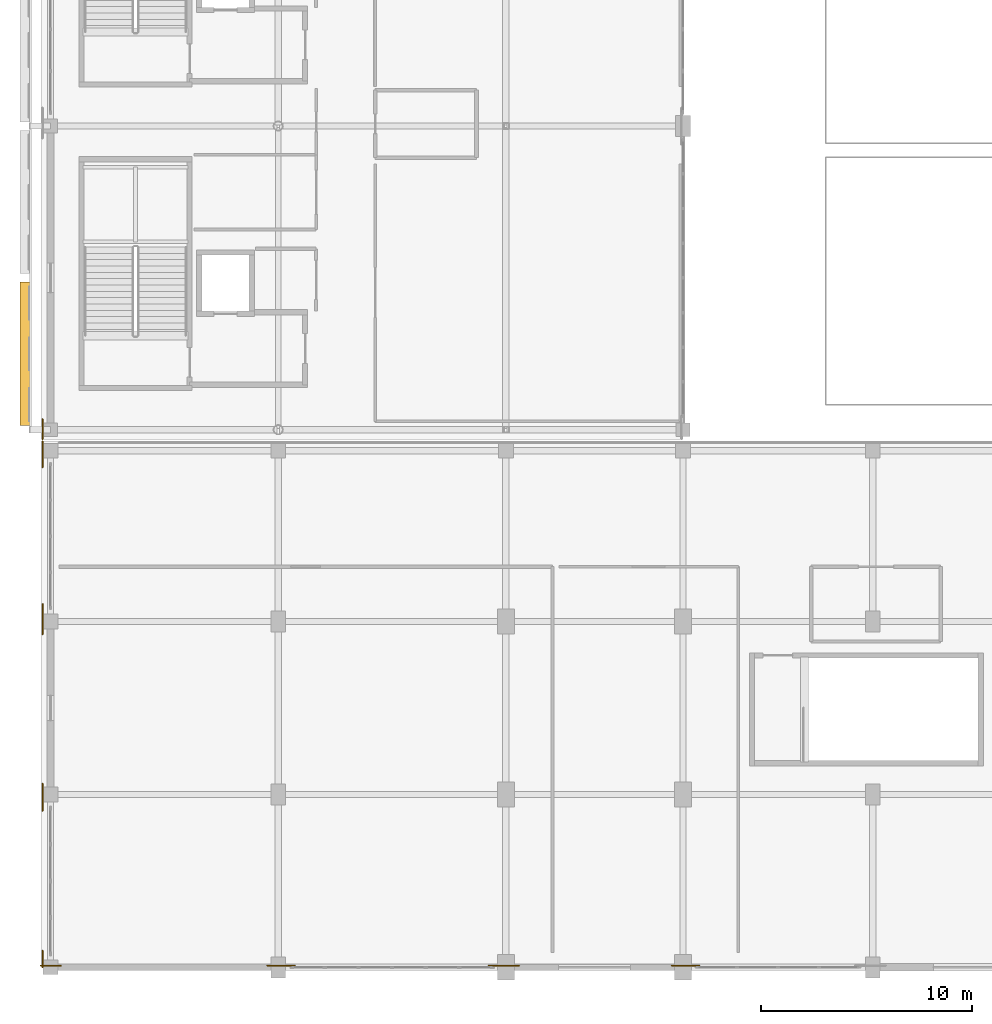
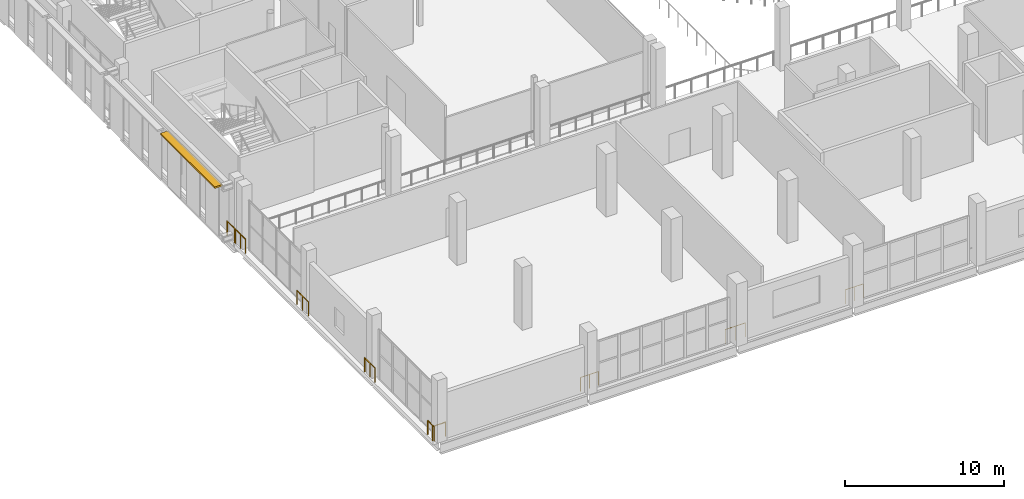
# One storey, part 77 of 104: 9 railings, 1 shading device.
"""IFC4 building model written with IfcOpenShell, lengths in metres."""

from ifc_helpers import new_model, si_unit, direction, frame, origin, origin_2d, place, context, subcontext, project, spatial, rectangle, circle, extrude, material, type_object, element, save


model = new_model("IFC4")

# Units and contexts
model_context = context("Model", 3, precision=1e-05, world=origin(), true_north=direction((0.0, 1.0)))
body_context = subcontext(model_context, "Body", "Model", "MODEL_VIEW")
ifc_project = project(units=[si_unit("LENGTHUNIT", "METRE"), si_unit("AREAUNIT", "SQUARE_METRE"), si_unit("VOLUMEUNIT", "CUBIC_METRE"), si_unit("PLANEANGLEUNIT", "RADIAN"), si_unit("MASSUNIT", "GRAM", prefix="KILO")], contexts=[model_context])

# Site, building, storey
site_placement = place(None, origin())
site = spatial("IfcSite", under=ifc_project, at=site_placement, CompositionType="ELEMENT")
building_placement = place(site_placement, origin())
building = spatial("IfcBuilding", under=site, at=building_placement, Name="Koshinbarg Plaza Stadium", CompositionType="ELEMENT")
storey_placement = place(building_placement, frame((0.0, 0.0, 19.800048828125)))
storey = spatial("IfcBuildingStorey", under=building, at=storey_placement, Name="L04", CompositionType="ELEMENT", Elevation=19.800048828125)

# Railings
ifc_material_1 = material(Name="Toughened laminated glass and stainless steel sightline balustrade", Category="steel")
railing_type = type_object("IfcRailingType", Name="RL-BOWL-1100", PredefinedType="BALUSTRADE", material=ifc_material_1)
railing_1_placement = place(storey_placement, frame((24.22509765625, 25.044921875, 0.0)))
element("IfcRailing", 1, at=railing_1_placement, inside=storey, type_object=railing_type, Name="L04 deck edge safety balustrade 0280", PredefinedType="BALUSTRADE", context=body_context, shape_type="SweptSolid", body=[
    extrude(circle(Radius=0.02392578125, at=origin_2d()), frame((0.0, 0.0, 1.076171875), z_axis=(0.0, 1.0, 0.0), x_axis=(-1.0, 0.0, 0.0)), (0.0, 0.0, 1.0), 0.9462890625),
    extrude(circle(Radius=0.02099609375, at=origin_2d()), origin(), (0.0, 0.0, 1.0), 1.052001953125),
    extrude(circle(Radius=0.02099609375, at=origin_2d()), frame((0.0, 0.9462890625, 0.0)), (0.0, 0.0, 1.0), 1.052001953125),
])
railing_2_placement = place(storey_placement, frame((24.22509765625, 0.0, 0.0)))
element("IfcRailing", 2, at=railing_2_placement, inside=storey, type_object=railing_type, Name="L04 deck edge safety balustrade 0327", PredefinedType="BALUSTRADE", context=body_context, shape_type="SweptSolid", body=[
    extrude(circle(Radius=0.02392578125, at=origin_2d()), frame((0.0, 0.0, 1.076171875), z_axis=(0.0, 1.0, 0.0), x_axis=(-1.0, 0.0, 0.0)), (0.0, 0.0, 1.0), 0.797607421875),
    extrude(circle(Radius=0.02099609375, at=origin_2d()), origin(), (0.0, 0.0, 1.0), 1.052001953125),
    extrude(circle(Radius=0.02099609375, at=origin_2d()), frame((0.0, 0.797607421875, 0.0)), (0.0, 0.0, 1.0), 1.052001953125),
])
railing_3_placement = place(storey_placement, frame((24.22509765625, 7.4208984375, 0.0)))
element("IfcRailing", 3, at=railing_3_placement, inside=storey, type_object=railing_type, Name="L04 deck edge safety balustrade 0328", PredefinedType="BALUSTRADE", context=body_context, shape_type="SweptSolid", body=[
    extrude(circle(Radius=0.02392578125, at=origin_2d()), frame((0.0, 0.0, 1.076171875), z_axis=(0.0, 1.0, 0.0), x_axis=(-1.0, 0.0, 0.0)), (0.0, 0.0, 1.0), 1.296630859375),
    extrude(circle(Radius=0.02099609375, at=origin_2d()), origin(), (0.0, 0.0, 1.0), 1.052001953125),
    extrude(circle(Radius=0.02099609375, at=origin_2d()), frame((0.0, 0.6484375, 0.0)), (0.0, 0.0, 1.0), 1.052001953125),
    extrude(circle(Radius=0.02099609375, at=origin_2d()), frame((0.0, 1.296630859375, 0.0)), (0.0, 0.0, 1.0), 1.052001953125),
])
railing_4_placement = place(storey_placement, frame((24.22509765625, 15.7890625, 0.0)))
element("IfcRailing", 4, at=railing_4_placement, inside=storey, type_object=railing_type, Name="L04 deck edge safety balustrade 0329", PredefinedType="BALUSTRADE", context=body_context, shape_type="SweptSolid", body=[
    extrude(circle(Radius=0.02392578125, at=origin_2d()), frame((0.0, 0.0, 1.076171875), z_axis=(0.0, 1.0, 0.0), x_axis=(-1.0, 0.0, 0.0)), (0.0, 0.0, 1.0), 1.446044921875),
    extrude(circle(Radius=0.02099609375, at=origin_2d()), origin(), (0.0, 0.0, 1.0), 1.052001953125),
    extrude(circle(Radius=0.02099609375, at=origin_2d()), frame((0.0, 0.72314453125, 0.0)), (0.0, 0.0, 1.0), 1.052001953125),
    extrude(circle(Radius=0.02099609375, at=origin_2d()), frame((0.0, 1.446044921875, 0.0)), (0.0, 0.0, 1.0), 1.052001953125),
])
railing_5_placement = place(storey_placement, frame((24.22509765625, 23.708984375, 0.0)))
element("IfcRailing", 5, at=railing_5_placement, inside=storey, type_object=railing_type, Name="L04 deck edge safety balustrade 0330", PredefinedType="BALUSTRADE", context=body_context, shape_type="SweptSolid", body=[
    extrude(circle(Radius=0.02392578125, at=origin_2d()), frame((0.0, 0.0, 1.076171875), z_axis=(0.0, 1.0, 0.0), x_axis=(-1.0, 0.0, 0.0)), (0.0, 0.0, 1.0), 1.24609375),
    extrude(circle(Radius=0.02099609375, at=origin_2d()), origin(), (0.0, 0.0, 1.0), 1.052001953125),
    extrude(circle(Radius=0.02099609375, at=origin_2d()), frame((0.0, 0.623046875, 0.0)), (0.0, 0.0, 1.0), 1.052001953125),
    extrude(circle(Radius=0.02099609375, at=origin_2d()), frame((0.0, 1.24609375, 0.0)), (0.0, 0.0, 1.0), 1.052001953125),
])
railing_6_placement = place(storey_placement, frame((55.3662109375, 0.080078125, 0.0)))
element("IfcRailing", 6, at=railing_6_placement, inside=storey, type_object=railing_type, Name="L04 deck edge safety balustrade 0333", PredefinedType="BALUSTRADE", context=body_context, shape_type="SweptSolid", body=[
    extrude(circle(Radius=0.02392578125, at=origin_2d()), frame((0.0, 0.0, 1.076171875), z_axis=(-1.0, 0.0, 0.0), x_axis=(0.0, -1.0, 0.0)), (0.0, 0.0, 1.0), 1.29931640625),
    extrude(circle(Radius=0.02099609375, at=origin_2d()), origin(), (0.0, 0.0, 1.0), 1.052001953125),
    extrude(circle(Radius=0.02099609375, at=origin_2d()), frame((-0.649658203125, 0.0, 0.0)), (0.0, 0.0, 1.0), 1.052001953125),
    extrude(circle(Radius=0.02099609375, at=origin_2d()), frame((-1.29931640625, 0.0, 0.0)), (0.0, 0.0, 1.0), 1.052001953125),
])
railing_7_placement = place(storey_placement, frame((46.823974609375, 0.080078125, 0.0)))
element("IfcRailing", 7, at=railing_7_placement, inside=storey, type_object=railing_type, Name="L04 deck edge safety balustrade 0334", PredefinedType="BALUSTRADE", context=body_context, shape_type="SweptSolid", body=[
    extrude(circle(Radius=0.02392578125, at=origin_2d()), frame((0.0, 0.0, 1.076171875), z_axis=(-1.0, 0.0, 0.0), x_axis=(0.0, -1.0, 0.0)), (0.0, 0.0, 1.0), 1.448974609375),
    extrude(circle(Radius=0.02099609375, at=origin_2d()), origin(), (0.0, 0.0, 1.0), 1.052001953125),
    extrude(circle(Radius=0.02099609375, at=origin_2d()), frame((-0.724609375, 0.0, 0.0)), (0.0, 0.0, 1.0), 1.052001953125),
    extrude(circle(Radius=0.02099609375, at=origin_2d()), frame((-1.448974609375, 0.0, 0.0)), (0.0, 0.0, 1.0), 1.052001953125),
])
railing_8_placement = place(storey_placement, frame((36.18408203125, 0.080078125, 0.0)))
element("IfcRailing", 8, at=railing_8_placement, inside=storey, type_object=railing_type, Name="L04 deck edge safety balustrade 0335", PredefinedType="BALUSTRADE", context=body_context, shape_type="SweptSolid", body=[
    extrude(circle(Radius=0.02392578125, at=origin_2d()), frame((0.0, 0.0, 1.076171875), z_axis=(-1.0, 0.0, 0.0), x_axis=(0.0, -1.0, 0.0)), (0.0, 0.0, 1.0), 1.29931640625),
    extrude(circle(Radius=0.02099609375, at=origin_2d()), origin(), (0.0, 0.0, 1.0), 1.052001953125),
    extrude(circle(Radius=0.02099609375, at=origin_2d()), frame((-0.649658203125, 0.0, 0.0)), (0.0, 0.0, 1.0), 1.052001953125),
    extrude(circle(Radius=0.02099609375, at=origin_2d()), frame((-1.29931640625, 0.0, 0.0)), (0.0, 0.0, 1.0), 1.052001953125),
])
railing_9_placement = place(storey_placement, frame((25.09423828125, 0.080078125, 0.0)))
element("IfcRailing", 9, at=railing_9_placement, inside=storey, type_object=railing_type, Name="L04 deck edge safety balustrade 0336", PredefinedType="BALUSTRADE", context=body_context, shape_type="SweptSolid", body=[
    extrude(circle(Radius=0.02392578125, at=origin_2d()), frame((0.0, 0.0, 1.076171875), z_axis=(-1.0, 0.0, 0.0), x_axis=(0.0, -1.0, 0.0)), (0.0, 0.0, 1.0), 0.94921875),
    extrude(circle(Radius=0.02099609375, at=origin_2d()), origin(), (0.0, 0.0, 1.0), 1.052001953125),
    extrude(circle(Radius=0.02099609375, at=origin_2d()), frame((-0.94921875, 0.0, 0.0)), (0.0, 0.0, 1.0), 1.052001953125),
])

# Shading device
ifc_material_2 = material(Name="Off-white powder-coated aluminium sun-baffle louvre", Category="aluminium")
shading_device_type = type_object("IfcShadingDeviceType", Name="SHD-LOUVRE-01", PredefinedType="USERDEFINED", material=ifc_material_2)
shading_device_placement = place(storey_placement, frame((23.429931640625, 29.10009765625, 4.119873046875), z_axis=(0.0, 0.0, 1.0), x_axis=(1.0, 0.0, 0.0)))
element("IfcShadingDevice", 10, at=shading_device_placement, inside=storey, type_object=shading_device_type, Name="L04 solar brise-soleil louvre 15", ObjectType="LOUVRE", PredefinedType="USERDEFINED", context=body_context, shape_type="SweptSolid", body=[
    extrude(rectangle(XDim=0.550048828125, YDim=6.800048828125, at=origin_2d()), origin(), (0.0, 0.0, 1.0), 0.1201171875),
])

save(model, "model.ifc")
